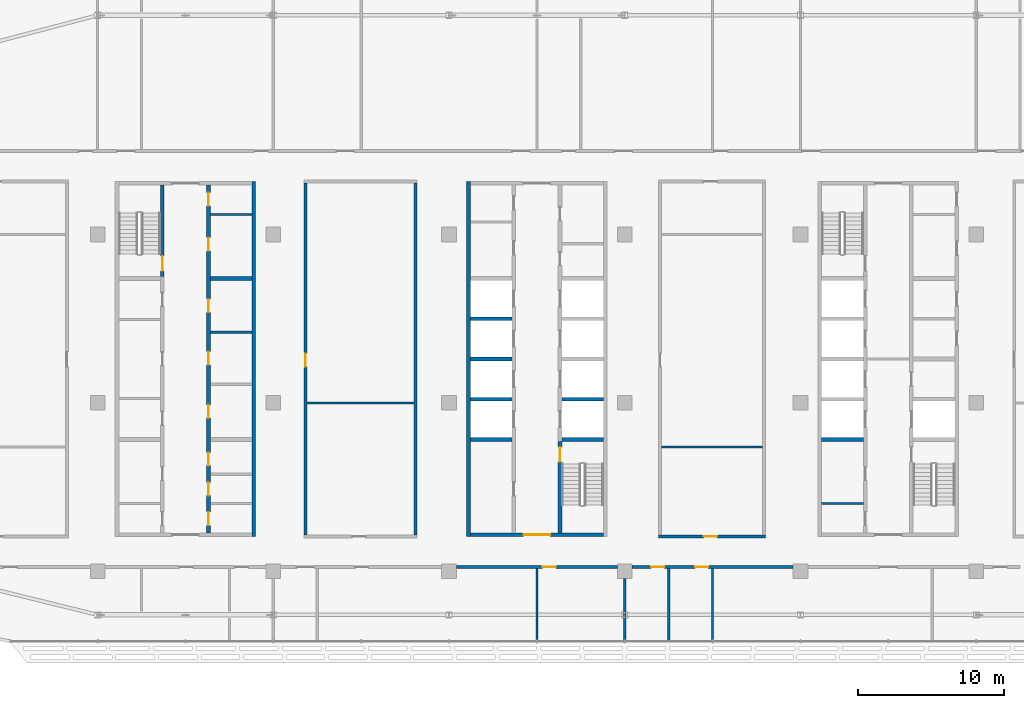
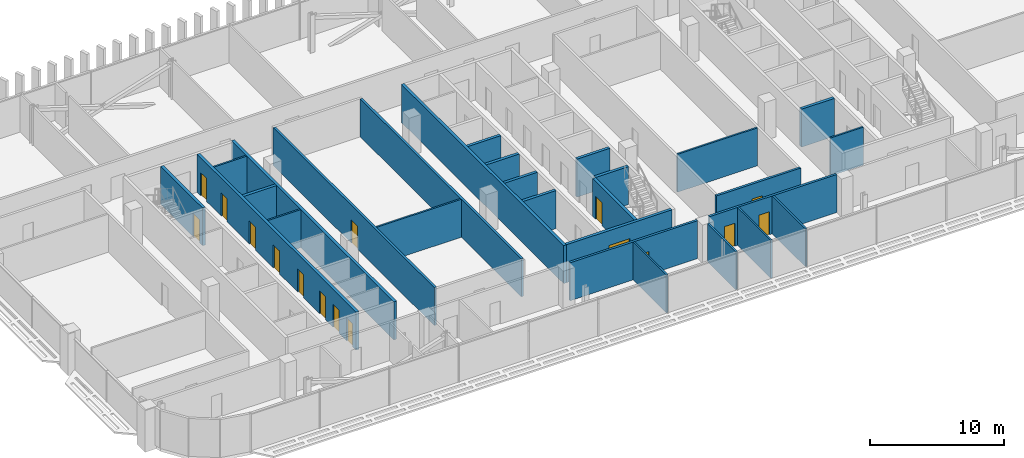
# One storey, part 18 of 32: 28 walls, 16 doors, 16 openings.
"""IFC4 building model written with IfcOpenShell, lengths in metres."""

import ifcopenshell
import ifcopenshell.guid

model = None  # the IFC model being written
_history = None  # IfcOwnerHistory: only IFC2X3 demands one
_inside = {}  # id of a spatial element -> (the spatial element, [elements in it])
_under = {}  # id of a project, library or spatial element -> (it, [spatial elements below it])
_declared = {}  # id of a project -> (the project, [libraries it declares])
_typed = {}  # id of a type object -> (the type object, [elements of that type])
_made_of = {}  # id of a material, layer set ... -> (it, [elements and type objects made of it])


def new_model(schema):
    """Start an empty IFC model of exactly this schema.

    Asked for "IFC4X3", IfcOpenShell would pick the latest addendum, in which some entities
    have other attributes; the version numbers below select the first issue.
    IFC2X3 requires an IfcOwnerHistory on every rooted entity: one is made here for all.
    """
    global model, _history
    if schema == "IFC4X3":
        model = ifcopenshell.file(schema_version=(4, 3, 0, 0))
    else:
        model = ifcopenshell.file(schema=schema)
    _inside.clear()
    _under.clear()
    _declared.clear()
    _typed.clear()
    _made_of.clear()
    _history = None
    if model.schema == "IFC2X3":
        org = make("IfcOrganization", Name="unknown")
        user = make(
            "IfcPersonAndOrganization",
            ThePerson=make("IfcPerson", FamilyName="unknown"),
            TheOrganization=org,
        )
        app = make(
            "IfcApplication",
            ApplicationDeveloper=org,
            Version="unknown",
            ApplicationFullName="unknown",
            ApplicationIdentifier="unknown",
        )
        _history = make(
            "IfcOwnerHistory",
            OwningUser=user,
            OwningApplication=app,
            ChangeAction="ADDED",
            CreationDate=0,
        )
    return model


def make(cls, **values):
    """One entity of the class cls with the attributes given. An attribute that is None is left unset."""
    return model.create_entity(
        cls, **{name: value for name, value in values.items() if value is not None}
    )


def rooted(cls, **values):
    """An entity with a GlobalId (a new one), such as an element, a storey or a relation."""
    return make(cls, GlobalId=ifcopenshell.guid.new(), OwnerHistory=_history, **values)


def si_unit(unit_type, name, prefix=None):
    """IfcSIUnit, for example si_unit("LENGTHUNIT", "METRE", prefix="MILLI")."""
    return make("IfcSIUnit", UnitType=unit_type, Prefix=prefix, Name=name)


def assignment(units):
    """IfcUnitAssignment: the units of a project."""
    return None if units is None else make("IfcUnitAssignment", Units=units)


def point(xyz):
    """IfcCartesianPoint."""
    return None if xyz is None else make("IfcCartesianPoint", Coordinates=xyz)


def direction(xyz):
    """IfcDirection."""
    return None if xyz is None else make("IfcDirection", DirectionRatios=xyz)


def frame(location, z_axis=None, x_axis=None):
    """IfcAxis2Placement3D, a coordinate frame: its origin and axes. An axis left out is left unset."""
    return make(
        "IfcAxis2Placement3D",
        Location=point(location),
        Axis=direction(z_axis),
        RefDirection=direction(x_axis),
    )


def frame_2d(location, x_axis=None):
    """IfcAxis2Placement2D, a coordinate frame in the plane: its origin and x axis."""
    return make(
        "IfcAxis2Placement2D", Location=point(location), RefDirection=direction(x_axis)
    )


def origin():
    """The frame at (0, 0, 0) with its axes left unset."""
    return frame((0.0, 0.0, 0.0))


def place(relative_to, where):
    """IfcLocalPlacement: puts the frame where relative to a parent placement (None: the world)."""
    return make(
        "IfcLocalPlacement", PlacementRelTo=relative_to, RelativePlacement=where
    )


def context(
    kind, dimensions, precision=None, world=None, true_north=None, identifier=None
):
    """IfcGeometricRepresentationContext, for example the 3D "Model" context."""
    return make(
        "IfcGeometricRepresentationContext",
        ContextIdentifier=identifier,
        ContextType=kind,
        CoordinateSpaceDimension=dimensions,
        Precision=precision,
        WorldCoordinateSystem=world,
        TrueNorth=true_north,
    )


def subcontext(parent, identifier, kind, view, scale=None):
    """IfcGeometricRepresentationSubContext, for example "Body" below "Model"."""
    return make(
        "IfcGeometricRepresentationSubContext",
        ContextIdentifier=identifier,
        ContextType=kind,
        ParentContext=parent,
        TargetScale=scale,
        TargetView=view,
    )


def project(units=None, contexts=None):
    """IfcProject with its units and contexts."""
    return rooted(
        "IfcProject",
        Name="project",
        RepresentationContexts=contexts,
        UnitsInContext=assignment(units),
    )


def spatial(cls, under=None, at=None, **own):
    """A site, building, storey or space (cls), placed at a placement, below another one or the project."""
    s = rooted(cls, ObjectPlacement=at, **own)
    if under is not None:
        _under.setdefault(under.id(), (under, []))[1].append(s)
    return s


def profile(cls, at=None, kind="AREA", **sizes):
    """A parametric profile (cls). Its sizes go by their IFC names, for example OverallWidth=200.0."""
    return make(cls, ProfileType=kind, Position=at, **sizes)


def rectangle(**sizes):
    """IfcRectangleProfileDef."""
    return profile("IfcRectangleProfileDef", **sizes)


def extrude(swept, where, along, depth):
    """IfcExtrudedAreaSolid: the profile swept, set in the frame where, extruded along a direction by depth."""
    return make(
        "IfcExtrudedAreaSolid",
        SweptArea=swept,
        Position=where,
        ExtrudedDirection=direction(along),
        Depth=depth,
    )


def shape(context_of_items, identifier, shape_type, items):
    """IfcShapeRepresentation: the items that make up one representation, for example the "Body"."""
    return make(
        "IfcShapeRepresentation",
        ContextOfItems=context_of_items,
        RepresentationIdentifier=identifier,
        RepresentationType=shape_type,
        Items=items,
    )


def material(Name=None, Category=None):
    """IfcMaterial."""
    return make("IfcMaterial", Name=Name, Category=Category)


def layer(
    of_material, thickness, ventilated=None, Name=None, Category=None, Priority=None
):
    """IfcMaterialLayer: one layer of a wall or slab, of a material (None: an air gap)."""
    return make(
        "IfcMaterialLayer",
        Material=of_material,
        LayerThickness=thickness,
        IsVentilated=ventilated,
        Name=Name,
        Category=Category,
        Priority=Priority,
    )


def layer_set(layers, Name=None):
    """IfcMaterialLayerSet."""
    return make("IfcMaterialLayerSet", MaterialLayers=layers, LayerSetName=Name)


def made_of(thing, what):
    """Note that an element or type object is made of a material, layer set ...; save() writes the relation."""
    if what is not None:
        _made_of.setdefault(what.id(), (what, []))[1].append(thing)
    return thing


def type_object(cls, material=None, **own):
    """A type object (cls), such as IfcWallType, which elements share."""
    return made_of(rooted(cls, **own), material)


def element(
    cls,
    number,
    at=None,
    inside=None,
    cuts=None,
    type_object=None,
    material=None,
    context=None,
    identifier="Body",
    shape_type=None,
    held_by="IfcProductDefinitionShape",
    body=None,
    shapes=None,
    **own,
):
    """One element of the class cls, such as IfcWall. Its Tag is "e" and its number.

    at: its placement. inside: the storey or other place that contains it. cuts: it is an
    opening in that element (IfcRelVoidsElement). A single representation is given by context,
    identifier, shape_type and body (its items); several are given by shapes. held_by: the class
    of the entity that holds the representations. save() writes the other relations.
    """
    e = rooted(cls, Tag="e%d" % number, ObjectPlacement=at, **own)
    if body is not None:
        shapes = [shape(context, identifier, shape_type, body)]
    if shapes is not None:
        e.Representation = make(held_by, Representations=shapes)
    if inside is not None:
        _inside.setdefault(inside.id(), (inside, []))[1].append(e)
    if cuts is not None:
        rooted(
            "IfcRelVoidsElement", RelatingBuildingElement=cuts, RelatedOpeningElement=e
        )
    if type_object is not None:
        _typed.setdefault(type_object.id(), (type_object, []))[1].append(e)
    return made_of(e, material)


def fill(opening, filler):
    """IfcRelFillsElement: the door or window that sits in an opening."""
    return rooted(
        "IfcRelFillsElement",
        RelatingOpeningElement=opening,
        RelatedBuildingElement=filler,
    )


def aggregate(whole, parts):
    """IfcRelAggregates: a whole, such as a stair, and the parts it consists of."""
    return rooted("IfcRelAggregates", RelatingObject=whole, RelatedObjects=parts)


def save(model, path):
    """Write the relations noted so far, then the file.

    IfcRelAggregates (storeys below a building ...), IfcRelContainedInSpatialStructure (elements
    in a storey), IfcRelDefinesByType, IfcRelAssociatesMaterial and IfcRelDeclares: one each for
    every whole, place, type object, material and project.
    """
    for whole, parts in _under.values():
        aggregate(whole, parts)
    for where, things in _inside.values():
        rooted(
            "IfcRelContainedInSpatialStructure",
            RelatedElements=things,
            RelatingStructure=where,
        )
    for kind, things in _typed.values():
        rooted("IfcRelDefinesByType", RelatedObjects=things, RelatingType=kind)
    for what, things in _made_of.values():
        rooted("IfcRelAssociatesMaterial", RelatedObjects=things, RelatingMaterial=what)
    for by, libraries in _declared.values():
        rooted("IfcRelDeclares", RelatingContext=by, RelatedDefinitions=libraries)
    model.write(path)


model = new_model("IFC4")

# Units and contexts
model_context = context("Model", 3, precision=1e-05, world=origin(), true_north=direction((0.0, 1.0)))
body_context = subcontext(model_context, "Body", "Model", "MODEL_VIEW")
ifc_project = project(units=[si_unit("LENGTHUNIT", "METRE"), si_unit("AREAUNIT", "SQUARE_METRE"), si_unit("VOLUMEUNIT", "CUBIC_METRE"), si_unit("PLANEANGLEUNIT", "RADIAN"), si_unit("MASSUNIT", "GRAM", prefix="KILO")], contexts=[model_context])

# Site, building, storey
site_placement = place(None, origin())
site = spatial("IfcSite", under=ifc_project, at=site_placement, CompositionType="ELEMENT")
building_placement = place(site_placement, origin())
building = spatial("IfcBuilding", under=site, at=building_placement, Name="Mahtab Terrace Research Tower", CompositionType="ELEMENT")
storey_placement = place(building_placement, frame((0.0, 0.0, 236.199951171875)))
storey = spatial("IfcBuildingStorey", under=building, at=storey_placement, Name="L57", CompositionType="ELEMENT", Elevation=236.199951171875)

# Walls
ifc_material_1 = material(Name="Gypsum board partition")
ifc_layer_1 = layer(ifc_material_1, 0.14990234375)
ifc_layer_set_1 = layer_set([ifc_layer_1], Name="Core partition 150")
wall_type_1 = type_object("IfcWallType", Name="Core partition 150", PredefinedType="PARTITIONING", material=ifc_layer_set_1)
for number, where, z_axis, x_axis, name in (
    (1, (-22.300048828125, 4.827392578125, 0.0), (0.0, 0.0, 1.0), (1.0, 0.0, 0.0), "Core wall A pEL183"),
    (2, (-22.300048828125, 12.875, 0.0), (0.0, 0.0, 1.0), (1.0, 0.0, 0.0), "Core wall A pEN988"),
    (3, (19.449951171875, -6.875, 0.0), (0.0, 0.0, 1.0), (1.0, 0.0, 0.0), "Core wall C pWS-988"),
):
    element("IfcWall", number, at=place(storey_placement, frame(where, z_axis=z_axis, x_axis=x_axis)), inside=storey, type_object=wall_type_1, Name=name, PredefinedType="PARTITIONING", context=body_context, shape_type="SweptSolid", body=[
        extrude(rectangle(XDim=2.85009765625, YDim=0.14990234375, at=frame_2d((1.425048828125, 0.0))), origin(), (0.0, 0.0, 1.0), 3.4599609375),
    ])
ifc_material_2 = material(Name="Concrete C70/85", Category="concrete")
ifc_layer_2 = layer(ifc_material_2, 0.25)
ifc_layer_set_2 = layer_set([ifc_layer_2], Name="Core wall 250")
wall_type_2 = type_object("IfcWallType", Name="Core wall 250", PredefinedType="SOLIDWALL", material=ifc_layer_set_2)
wall_1_placement = place(storey_placement, frame((-19.324951171875, -9.125, 0.0), z_axis=(0.0, 0.0, 1.0), x_axis=(0.0, 1.0, 0.0)))
element("IfcWall", 4, at=wall_1_placement, inside=storey, type_object=wall_type_2, Name="Core wall A outerE", PredefinedType="SOLIDWALL", context=body_context, shape_type="SweptSolid", body=[
    extrude(rectangle(XDim=24.25, YDim=0.25, at=frame_2d((12.125, 0.0))), origin(), (0.0, 0.0, 1.0), 3.4599609375),
])

# Wall, opening, door
wall_2_placement = place(storey_placement, frame((-25.574951171875, 14.875, 0.0), z_axis=(0.0, 0.0, 1.0), x_axis=(0.0, -1.0, 0.0)))
wall_2 = element("IfcWall", 5, at=wall_2_placement, inside=storey, type_object=wall_type_2, Name="Core wall A innerWN", PredefinedType="SOLIDWALL", context=body_context, shape_type="SweptSolid", body=[
    extrude(rectangle(XDim=6.25, YDim=0.25, at=frame_2d((3.125, 0.0))), origin(), (0.0, 0.0, 1.0), 3.4599609375),
])
opening_1_placement = place(wall_2_placement, frame((4.85009765625, 0.0, 0.0)))
opening_1 = element("IfcOpeningElement", 6, at=opening_1_placement, cuts=wall_2, Name="Opening A-ST1", PredefinedType="OPENING", context=body_context, shape_type="SweptSolid", body=[
    extrude(rectangle(XDim=1.0, YDim=2.10009765625, at=frame_2d((0.5, 1.050048828125))), frame((0.0, 0.135009765625, 0.0), z_axis=(0.0, -1.0, 0.0), x_axis=(1.0, 0.0, 0.0)), (0.0, 0.0, 1.0), 0.27001953125),
])
ifc_material_3 = material(Name="Steel fire door", Category="steel")
door_type_1 = type_object("IfcDoorType", Name="Stair door 1000x2100 1.5 HR", OperationType="NOTDEFINED", PredefinedType="DOOR", material=ifc_material_3)
door_1_placement = place(opening_1_placement, origin())
door_1 = element("IfcDoor", 7, at=door_1_placement, inside=storey, type_object=door_type_1, Name="Stair door ST1 L57", OperationType="SINGLE_SWING_RIGHT", OverallHeight=2.10009765625, OverallWidth=1.0, PredefinedType="DOOR", context=body_context, shape_type="SweptSolid", body=[
    extrude(rectangle(XDim=1.0, YDim=2.10009765625, at=frame_2d((0.5, 1.050048828125))), frame((0.0, 0.02490234375, 0.0), z_axis=(0.0, -1.0, 0.0), x_axis=(1.0, 0.0, 0.0)), (0.0, 0.0, 1.0), 0.050048828125),
])
fill(opening_1, door_1)

# Wall, openings, doors
wall_3_placement = place(storey_placement, frame((-22.425048828125, 14.875, 0.0), z_axis=(0.0, 0.0, 1.0), x_axis=(0.0, -1.0, 0.0)))
wall_3 = element("IfcWall", 8, at=wall_3_placement, inside=storey, type_object=wall_type_2, Name="Core wall A innerESLN", PredefinedType="SOLIDWALL", context=body_context, shape_type="SweptSolid", body=[
    extrude(rectangle(XDim=23.75, YDim=0.25, at=frame_2d((11.875, 0.0))), origin(), (0.0, 0.0, 1.0), 3.4599609375),
])
opening_2_placement = place(wall_3_placement, frame((15.010009765625, 0.0, 0.0)))
opening_2 = element("IfcOpeningElement", 9, at=opening_2_placement, cuts=wall_3, Name="Opening A-R4", PredefinedType="OPENING", context=body_context, shape_type="SweptSolid", body=[
    extrude(rectangle(XDim=0.89990234375, YDim=2.10009765625, at=frame_2d((0.449951171875, 1.050048828125))), frame((0.0, 0.135009765625, 0.0), z_axis=(0.0, -1.0, 0.0), x_axis=(1.0, 0.0, 0.0)), (0.0, 0.0, 1.0), 0.27001953125),
])
opening_3_placement = place(wall_3_placement, frame((11.37109375, 0.0, 0.0)))
opening_3 = element("IfcOpeningElement", 10, at=opening_3_placement, cuts=wall_3, Name="Opening A-R5", PredefinedType="OPENING", context=body_context, shape_type="SweptSolid", body=[
    extrude(rectangle(XDim=0.89990234375, YDim=2.10009765625, at=frame_2d((0.449951171875, 1.050048828125))), frame((0.0, 0.135009765625, 0.0), z_axis=(0.0, -1.0, 0.0), x_axis=(1.0, 0.0, 0.0)), (0.0, 0.0, 1.0), 0.27001953125),
])
opening_4_placement = place(wall_3_placement, frame((7.7861328125, 0.0, 0.0)))
opening_4 = element("IfcOpeningElement", 11, at=opening_4_placement, cuts=wall_3, Name="Opening A-R6", PredefinedType="OPENING", context=body_context, shape_type="SweptSolid", body=[
    extrude(rectangle(XDim=0.89990234375, YDim=2.10009765625, at=frame_2d((0.449951171875, 1.050048828125))), frame((0.0, 0.135009765625, 0.0), z_axis=(0.0, -1.0, 0.0), x_axis=(1.0, 0.0, 0.0)), (0.0, 0.0, 1.0), 0.27001953125),
])
opening_5_placement = place(wall_3_placement, frame((22.33740234375, 0.0, 0.0)))
opening_5 = element("IfcOpeningElement", 12, at=opening_5_placement, cuts=wall_3, Name="Opening A-R9", PredefinedType="OPENING", context=body_context, shape_type="SweptSolid", body=[
    extrude(rectangle(XDim=0.89990234375, YDim=2.10009765625, at=frame_2d((0.449951171875, 1.050048828125))), frame((0.0, 0.135009765625, 0.0), z_axis=(0.0, -1.0, 0.0), x_axis=(1.0, 0.0, 0.0)), (0.0, 0.0, 1.0), 0.27001953125),
])
opening_6_placement = place(wall_3_placement, frame((20.300048828125, 0.0, 0.0)))
opening_6 = element("IfcOpeningElement", 13, at=opening_6_placement, cuts=wall_3, Name="Opening A-R10", PredefinedType="OPENING", context=body_context, shape_type="SweptSolid", body=[
    extrude(rectangle(XDim=0.89990234375, YDim=2.10009765625, at=frame_2d((0.449951171875, 1.050048828125))), frame((0.0, 0.135009765625, 0.0), z_axis=(0.0, -1.0, 0.0), x_axis=(1.0, 0.0, 0.0)), (0.0, 0.0, 1.0), 0.27001953125),
])
opening_7_placement = place(wall_3_placement, frame((18.262451171875, 0.0, 0.0)))
opening_7 = element("IfcOpeningElement", 14, at=opening_7_placement, cuts=wall_3, Name="Opening A-R11", PredefinedType="OPENING", context=body_context, shape_type="SweptSolid", body=[
    extrude(rectangle(XDim=0.89990234375, YDim=2.10009765625, at=frame_2d((0.449951171875, 1.050048828125))), frame((0.0, 0.135009765625, 0.0), z_axis=(0.0, -1.0, 0.0), x_axis=(1.0, 0.0, 0.0)), (0.0, 0.0, 1.0), 0.27001953125),
])
opening_8_placement = place(wall_3_placement, frame((3.58740234375, 0.0, 0.0)))
opening_8 = element("IfcOpeningElement", 15, at=opening_8_placement, cuts=wall_3, Name="Opening A-R12", PredefinedType="OPENING", context=body_context, shape_type="SweptSolid", body=[
    extrude(rectangle(XDim=0.89990234375, YDim=2.10009765625, at=frame_2d((0.449951171875, 1.050048828125))), frame((0.0, 0.135009765625, 0.0), z_axis=(0.0, -1.0, 0.0), x_axis=(1.0, 0.0, 0.0)), (0.0, 0.0, 1.0), 0.27001953125),
])
opening_9_placement = place(wall_3_placement, frame((0.512451171875, 0.0, 0.0)))
opening_9 = element("IfcOpeningElement", 16, at=opening_9_placement, cuts=wall_3, Name="Opening A-R13", PredefinedType="OPENING", context=body_context, shape_type="SweptSolid", body=[
    extrude(rectangle(XDim=0.89990234375, YDim=2.10009765625, at=frame_2d((0.449951171875, 1.050048828125))), frame((0.0, 0.135009765625, 0.0), z_axis=(0.0, -1.0, 0.0), x_axis=(1.0, 0.0, 0.0)), (0.0, 0.0, 1.0), 0.27001953125),
])
door_type_2 = type_object("IfcDoorType", Name="Room door 900x2100 1 HR", OperationType="NOTDEFINED", PredefinedType="DOOR", material=ifc_material_3)
door_2_placement = place(opening_2_placement, origin())
door_2 = element("IfcDoor", 17, at=door_2_placement, inside=storey, type_object=door_type_2, Name="Battery room door", OperationType="SINGLE_SWING_RIGHT", OverallHeight=2.10009765625, OverallWidth=0.89990234375, PredefinedType="DOOR", context=body_context, shape_type="SweptSolid", body=[
    extrude(rectangle(XDim=0.89990234375, YDim=2.10009765625, at=frame_2d((0.449951171875, 1.050048828125))), frame((0.0, 0.02490234375, 0.0), z_axis=(0.0, -1.0, 0.0), x_axis=(1.0, 0.0, 0.0)), (0.0, 0.0, 1.0), 0.050048828125),
])
fill(opening_2, door_2)
door_3_placement = place(opening_3_placement, origin())
door_3 = element("IfcDoor", 18, at=door_3_placement, inside=storey, type_object=door_type_2, Name="Cooling plant room door", OperationType="SINGLE_SWING_LEFT", OverallHeight=2.10009765625, OverallWidth=0.89990234375, PredefinedType="DOOR", context=body_context, shape_type="SweptSolid", body=[
    extrude(rectangle(XDim=0.89990234375, YDim=2.10009765625, at=frame_2d((0.449951171875, 1.050048828125))), frame((0.0, 0.02490234375, 0.0), z_axis=(0.0, -1.0, 0.0), x_axis=(1.0, 0.0, 0.0)), (0.0, 0.0, 1.0), 0.050048828125),
])
fill(opening_3, door_3)
door_4_placement = place(opening_4_placement, origin())
door_4 = element("IfcDoor", 19, at=door_4_placement, inside=storey, type_object=door_type_2, Name="Spare parts store door", OperationType="SINGLE_SWING_RIGHT", OverallHeight=2.10009765625, OverallWidth=0.89990234375, PredefinedType="DOOR", context=body_context, shape_type="SweptSolid", body=[
    extrude(rectangle(XDim=0.89990234375, YDim=2.10009765625, at=frame_2d((0.449951171875, 1.050048828125))), frame((0.0, 0.02490234375, 0.0), z_axis=(0.0, -1.0, 0.0), x_axis=(1.0, 0.0, 0.0)), (0.0, 0.0, 1.0), 0.050048828125),
])
fill(opening_4, door_4)
door_5_placement = place(opening_5_placement, origin())
door_5 = element("IfcDoor", 20, at=door_5_placement, inside=storey, type_object=door_type_2, Name="Comms riser room door", OperationType="SINGLE_SWING_LEFT", OverallHeight=2.10009765625, OverallWidth=0.89990234375, PredefinedType="DOOR", context=body_context, shape_type="SweptSolid", body=[
    extrude(rectangle(XDim=0.89990234375, YDim=2.10009765625, at=frame_2d((0.449951171875, 1.050048828125))), frame((0.0, 0.02490234375, 0.0), z_axis=(0.0, -1.0, 0.0), x_axis=(1.0, 0.0, 0.0)), (0.0, 0.0, 1.0), 0.050048828125),
])
fill(opening_5, door_5)
door_6_placement = place(opening_6_placement, origin())
door_6 = element("IfcDoor", 21, at=door_6_placement, inside=storey, type_object=door_type_2, Name="Pantry door", OperationType="SINGLE_SWING_RIGHT", OverallHeight=2.10009765625, OverallWidth=0.89990234375, PredefinedType="DOOR", context=body_context, shape_type="SweptSolid", body=[
    extrude(rectangle(XDim=0.89990234375, YDim=2.10009765625, at=frame_2d((0.449951171875, 1.050048828125))), frame((0.0, 0.02490234375, 0.0), z_axis=(0.0, -1.0, 0.0), x_axis=(1.0, 0.0, 0.0)), (0.0, 0.0, 1.0), 0.050048828125),
])
fill(opening_6, door_6)
door_7_placement = place(opening_7_placement, origin())
door_7 = element("IfcDoor", 22, at=door_7_placement, inside=storey, type_object=door_type_2, Name="Cleaners store door", OperationType="SINGLE_SWING_LEFT", OverallHeight=2.10009765625, OverallWidth=0.89990234375, PredefinedType="DOOR", context=body_context, shape_type="SweptSolid", body=[
    extrude(rectangle(XDim=0.89990234375, YDim=2.10009765625, at=frame_2d((0.449951171875, 1.050048828125))), frame((0.0, 0.02490234375, 0.0), z_axis=(0.0, -1.0, 0.0), x_axis=(1.0, 0.0, 0.0)), (0.0, 0.0, 1.0), 0.050048828125),
])
fill(opening_7, door_7)
door_8_placement = place(opening_8_placement, origin())
door_8 = element("IfcDoor", 23, at=door_8_placement, inside=storey, type_object=door_type_2, Name="IT equipment room door", OperationType="SINGLE_SWING_RIGHT", OverallHeight=2.10009765625, OverallWidth=0.89990234375, PredefinedType="DOOR", context=body_context, shape_type="SweptSolid", body=[
    extrude(rectangle(XDim=0.89990234375, YDim=2.10009765625, at=frame_2d((0.449951171875, 1.050048828125))), frame((0.0, 0.02490234375, 0.0), z_axis=(0.0, -1.0, 0.0), x_axis=(1.0, 0.0, 0.0)), (0.0, 0.0, 1.0), 0.050048828125),
])
fill(opening_8, door_8)
door_9_placement = place(opening_9_placement, origin())
door_9 = element("IfcDoor", 24, at=door_9_placement, inside=storey, type_object=door_type_2, Name="Electrical riser room door", OperationType="SINGLE_SWING_LEFT", OverallHeight=2.10009765625, OverallWidth=0.89990234375, PredefinedType="DOOR", context=body_context, shape_type="SweptSolid", body=[
    extrude(rectangle(XDim=0.89990234375, YDim=2.10009765625, at=frame_2d((0.449951171875, 1.050048828125))), frame((0.0, 0.02490234375, 0.0), z_axis=(0.0, -1.0, 0.0), x_axis=(1.0, 0.0, 0.0)), (0.0, 0.0, 1.0), 0.050048828125),
])
fill(opening_9, door_9)

# Walls
wall_4_placement = place(storey_placement, frame((-22.300048828125, 8.5, 0.0), z_axis=(0.0, 0.0, 1.0), x_axis=(1.0, 0.0, 0.0)))
element("IfcWall", 25, at=wall_4_placement, inside=storey, type_object=wall_type_2, Name="Core wall A divE4", PredefinedType="SOLIDWALL", context=body_context, shape_type="SweptSolid", body=[
    extrude(rectangle(XDim=2.85009765625, YDim=0.25, at=frame_2d((1.425048828125, 0.0))), origin(), (0.0, 0.0, 1.0), 3.4599609375),
])
wall_5_placement = place(storey_placement, frame((-4.675048828125, 15.125, 0.0), z_axis=(0.0, 0.0, 1.0), x_axis=(0.0, -1.0, 0.0)))
element("IfcWall", 26, at=wall_5_placement, inside=storey, type_object=wall_type_2, Name="Core wall B outerW", PredefinedType="SOLIDWALL", context=body_context, shape_type="SweptSolid", body=[
    extrude(rectangle(XDim=24.25, YDim=0.25, at=frame_2d((12.125, 0.0))), origin(), (0.0, 0.0, 1.0), 3.4599609375),
])

# Wall, opening, door
wall_6_placement = place(storey_placement, frame((4.550048828125, -9.0, 0.0), z_axis=(0.0, 0.0, 1.0), x_axis=(-1.0, 0.0, 0.0)))
wall_6 = element("IfcWall", 27, at=wall_6_placement, inside=storey, type_object=wall_type_2, Name="Core wall B endS", PredefinedType="SOLIDWALL", context=body_context, shape_type="SweptSolid", body=[
    extrude(rectangle(XDim=9.10009765625, YDim=0.25, at=frame_2d((4.550048828125, 0.0))), origin(), (0.0, 0.0, 1.0), 3.4599609375),
])
opening_10_placement = place(wall_6_placement, frame((3.64990234375, 0.0, 0.0)))
opening_10 = element("IfcOpeningElement", 28, at=opening_10_placement, cuts=wall_6, Name="Opening B-S1", PredefinedType="OPENING", context=body_context, shape_type="SweptSolid", body=[
    extrude(rectangle(XDim=1.800048828125, YDim=2.10009765625, at=frame_2d((0.89990234375, 1.050048828125))), frame((0.0, 0.135009765625, 0.0), z_axis=(0.0, -1.0, 0.0), x_axis=(1.0, 0.0, 0.0)), (0.0, 0.0, 1.0), 0.27001953125),
])
door_type_3 = type_object("IfcDoorType", Name="Lobby double door 1800x2100 1 HR", OperationType="DOUBLE_DOOR_SINGLE_SWING", PredefinedType="DOOR", material=ifc_material_3)
door_10_placement = place(opening_10_placement, origin())
door_10 = element("IfcDoor", 29, at=door_10_placement, inside=storey, type_object=door_type_3, Name="Core entrance door B S", OperationType="DOUBLE_DOOR_SINGLE_SWING", OverallHeight=2.10009765625, OverallWidth=1.800048828125, PredefinedType="DOOR", context=body_context, shape_type="SweptSolid", body=[
    extrude(rectangle(XDim=1.800048828125, YDim=2.10009765625, at=frame_2d((0.89990234375, 1.050048828125))), frame((0.0, 0.02490234375, 0.0), z_axis=(0.0, -1.0, 0.0), x_axis=(1.0, 0.0, 0.0)), (0.0, 0.0, 1.0), 0.050048828125),
])
fill(opening_10, door_10)

wall_7_placement = place(storey_placement, frame((1.574951171875, -8.875, 0.0), z_axis=(0.0, 0.0, 1.0), x_axis=(0.0, 1.0, 0.0)))
wall_7 = element("IfcWall", 30, at=wall_7_placement, inside=storey, type_object=wall_type_2, Name="Core wall B innerES", PredefinedType="SOLIDWALL", context=body_context, shape_type="SweptSolid", body=[
    extrude(rectangle(XDim=6.25, YDim=0.25, at=frame_2d((3.125, 0.0))), origin(), (0.0, 0.0, 1.0), 3.4599609375),
])
opening_11_placement = place(wall_7_placement, frame((4.85009765625, 0.0, 0.0)))
opening_11 = element("IfcOpeningElement", 31, at=opening_11_placement, cuts=wall_7, Name="Opening B-ST2", PredefinedType="OPENING", context=body_context, shape_type="SweptSolid", body=[
    extrude(rectangle(XDim=1.0, YDim=2.10009765625, at=frame_2d((0.5, 1.050048828125))), frame((0.0, 0.135009765625, 0.0), z_axis=(0.0, -1.0, 0.0), x_axis=(1.0, 0.0, 0.0)), (0.0, 0.0, 1.0), 0.27001953125),
])
door_11_placement = place(opening_11_placement, origin())
door_11 = element("IfcDoor", 32, at=door_11_placement, inside=storey, type_object=door_type_1, Name="Stair door ST2 L57", OperationType="SINGLE_SWING_RIGHT", OverallHeight=2.10009765625, OverallWidth=1.0, PredefinedType="DOOR", context=body_context, shape_type="SweptSolid", body=[
    extrude(rectangle(XDim=1.0, YDim=2.10009765625, at=frame_2d((0.5, 1.050048828125))), frame((0.0, 0.02490234375, 0.0), z_axis=(0.0, -1.0, 0.0), x_axis=(1.0, 0.0, 0.0)), (0.0, 0.0, 1.0), 0.050048828125),
])
fill(opening_11, door_11)

# Walls
for number, where, z_axis, x_axis, name in (
    (33, (-4.550048828125, -2.5, 0.0), (0.0, 0.0, 1.0), (1.0, 0.0, 0.0), "Core wall B divW0"),
    (34, (-4.550048828125, 0.25, 0.0), (0.0, 0.0, 1.0), (1.0, 0.0, 0.0), "Core wall B divW1"),
    (35, (-4.550048828125, 3.0, 0.0), (0.0, 0.0, 1.0), (1.0, 0.0, 0.0), "Core wall B divW2"),
    (36, (-4.550048828125, 5.75, 0.0), (0.0, 0.0, 1.0), (1.0, 0.0, 0.0), "Core wall B divW3"),
    (37, (1.699951171875, -2.5, 0.0), (0.0, 0.0, 1.0), (1.0, 0.0, 0.0), "Core wall B divE0"),
    (38, (1.699951171875, 0.25, 0.0), (0.0, 0.0, 1.0), (1.0, 0.0, 0.0), "Core wall B divE1"),
    (39, (19.449951171875, -2.5, 0.0), (0.0, 0.0, 1.0), (1.0, 0.0, 0.0), "Core wall C divW0"),
):
    element("IfcWall", number, at=place(storey_placement, frame(where, z_axis=z_axis, x_axis=x_axis)), inside=storey, type_object=wall_type_2, Name=name, PredefinedType="SOLIDWALL", context=body_context, shape_type="SweptSolid", body=[
        extrude(rectangle(XDim=2.85009765625, YDim=0.25, at=frame_2d((1.425048828125, 0.0))), origin(), (0.0, 0.0, 1.0), 3.4599609375),
    ])

# Wall, opening, door
ifc_material_4 = material(Name="Gypsum board corridor wall on steel studs", Category="steel")
ifc_layer_3 = layer(ifc_material_4, 0.199951171875)
ifc_layer_set_3 = layer_set([ifc_layer_3], Name="WALL CORRIDOR 200")
wall_type_3 = type_object("IfcWallType", Name="WALL CORRIDOR 200", PredefinedType="PARTITIONING", material=ifc_layer_set_3)
wall_8_placement = place(storey_placement, frame((-5.5, -11.199951171875, 0.0), z_axis=(0.0, 0.0, 1.0), x_axis=(1.0, 0.0, 0.0)))
wall_8 = element("IfcWall", 40, at=wall_8_placement, inside=storey, type_object=wall_type_3, Name="L57-W004", PredefinedType="PARTITIONING", context=body_context, shape_type="SweptSolid", body=[
    extrude(rectangle(XDim=11.0, YDim=0.199951171875, at=frame_2d((5.5, 0.0))), origin(), (0.0, 0.0, 1.0), 3.4599609375),
])
opening_12_placement = place(wall_8_placement, frame((5.89990234375, 0.0, 0.0)))
opening_12 = element("IfcOpeningElement", 41, at=opening_12_placement, cuts=wall_8, Name="Opening L57-106", PredefinedType="OPENING", context=body_context, shape_type="SweptSolid", body=[
    extrude(rectangle(XDim=0.89990234375, YDim=2.10009765625, at=frame_2d((0.449951171875, 1.050048828125))), frame((0.0, 0.10986328125, 0.0), z_axis=(0.0, -1.0, 0.0), x_axis=(1.0, 0.0, 0.0)), (0.0, 0.0, 1.0), 0.219970703125),
])
ifc_material_5 = material(Name="Timber door leaf in steel frame", Category="steel")
door_type_4 = type_object("IfcDoorType", Name="DOOR 0900X2100 FD30S", OperationType="SINGLE_SWING_LEFT", PredefinedType="DOOR", material=ifc_material_5)
door_12_placement = place(opening_12_placement, origin())
door_12 = element("IfcDoor", 42, at=door_12_placement, inside=storey, type_object=door_type_4, Name="Door L57-106", OperationType="SINGLE_SWING_LEFT", OverallHeight=2.10009765625, OverallWidth=0.89990234375, PredefinedType="DOOR", context=body_context, shape_type="SweptSolid", body=[
    extrude(rectangle(XDim=0.89990234375, YDim=2.10009765625, at=frame_2d((0.449951171875, 1.050048828125))), frame((0.0, 0.02490234375, 0.0), z_axis=(0.0, -1.0, 0.0), x_axis=(1.0, 0.0, 0.0)), (0.0, 0.0, 1.0), 0.050048828125),
])
fill(opening_12, door_12)

# Wall, openings, doors
wall_9_placement = place(storey_placement, frame((6.5, -11.199951171875, 0.0), z_axis=(0.0, 0.0, 1.0), x_axis=(1.0, 0.0, 0.0)))
wall_9 = element("IfcWall", 43, at=wall_9_placement, inside=storey, type_object=wall_type_3, Name="L57-W005", PredefinedType="PARTITIONING", context=body_context, shape_type="SweptSolid", body=[
    extrude(rectangle(XDim=11.0, YDim=0.199951171875, at=frame_2d((5.5, 0.0))), origin(), (0.0, 0.0, 1.0), 3.4599609375),
])
opening_13_placement = place(wall_9_placement, frame((1.300048828125, 0.0, 0.0)))
opening_13 = element("IfcOpeningElement", 44, at=opening_13_placement, cuts=wall_9, Name="Opening L57-107", PredefinedType="OPENING", context=body_context, shape_type="SweptSolid", body=[
    extrude(rectangle(XDim=0.89990234375, YDim=2.10009765625, at=frame_2d((0.449951171875, 1.050048828125))), frame((0.0, 0.10986328125, 0.0), z_axis=(0.0, -1.0, 0.0), x_axis=(1.0, 0.0, 0.0)), (0.0, 0.0, 1.0), 0.219970703125),
])
opening_14_placement = place(wall_9_placement, frame((4.300048828125, 0.0, 0.0)))
opening_14 = element("IfcOpeningElement", 45, at=opening_14_placement, cuts=wall_9, Name="Opening L57-108", PredefinedType="OPENING", context=body_context, shape_type="SweptSolid", body=[
    extrude(rectangle(XDim=0.89990234375, YDim=2.10009765625, at=frame_2d((0.449951171875, 1.050048828125))), frame((0.0, 0.10986328125, 0.0), z_axis=(0.0, -1.0, 0.0), x_axis=(1.0, 0.0, 0.0)), (0.0, 0.0, 1.0), 0.219970703125),
])
door_13_placement = place(opening_13_placement, origin())
door_13 = element("IfcDoor", 46, at=door_13_placement, inside=storey, type_object=door_type_4, Name="Door L57-107", OperationType="SINGLE_SWING_RIGHT", OverallHeight=2.10009765625, OverallWidth=0.89990234375, PredefinedType="DOOR", context=body_context, shape_type="SweptSolid", body=[
    extrude(rectangle(XDim=0.89990234375, YDim=2.10009765625, at=frame_2d((0.449951171875, 1.050048828125))), frame((0.0, 0.02490234375, 0.0), z_axis=(0.0, -1.0, 0.0), x_axis=(1.0, 0.0, 0.0)), (0.0, 0.0, 1.0), 0.050048828125),
])
fill(opening_13, door_13)
door_14_placement = place(opening_14_placement, origin())
door_14 = element("IfcDoor", 47, at=door_14_placement, inside=storey, type_object=door_type_4, Name="Door L57-108", OperationType="SINGLE_SWING_RIGHT", OverallHeight=2.10009765625, OverallWidth=0.89990234375, PredefinedType="DOOR", context=body_context, shape_type="SweptSolid", body=[
    extrude(rectangle(XDim=0.89990234375, YDim=2.10009765625, at=frame_2d((0.449951171875, 1.050048828125))), frame((0.0, 0.02490234375, 0.0), z_axis=(0.0, -1.0, 0.0), x_axis=(1.0, 0.0, 0.0)), (0.0, 0.0, 1.0), 0.050048828125),
])
fill(opening_14, door_14)

# Wall, opening, door
wall_10_placement = place(storey_placement, frame((8.300048828125, -9.125, 0.0), z_axis=(0.0, 0.0, 1.0), x_axis=(1.0, 0.0, 0.0)))
wall_10 = element("IfcWall", 48, at=wall_10_placement, inside=storey, type_object=wall_type_3, Name="L57-W012", PredefinedType="PARTITIONING", context=body_context, shape_type="SweptSolid", body=[
    extrude(rectangle(XDim=7.300048828125, YDim=0.199951171875, at=frame_2d((3.64990234375, 0.0))), origin(), (0.0, 0.0, 1.0), 3.4599609375),
])
opening_15_placement = place(wall_10_placement, frame((3.10009765625, 0.0, 0.0)))
opening_15 = element("IfcOpeningElement", 49, at=opening_15_placement, cuts=wall_10, Name="Opening L57-113", PredefinedType="OPENING", context=body_context, shape_type="SweptSolid", body=[
    extrude(rectangle(XDim=0.89990234375, YDim=2.10009765625, at=frame_2d((0.449951171875, 1.050048828125))), frame((0.0, 0.10986328125, 0.0), z_axis=(0.0, -1.0, 0.0), x_axis=(1.0, 0.0, 0.0)), (0.0, 0.0, 1.0), 0.219970703125),
])
door_15_placement = place(opening_15_placement, origin())
door_15 = element("IfcDoor", 50, at=door_15_placement, inside=storey, type_object=door_type_4, Name="Door L57-113", OperationType="SINGLE_SWING_LEFT", OverallHeight=2.10009765625, OverallWidth=0.89990234375, PredefinedType="DOOR", context=body_context, shape_type="SweptSolid", body=[
    extrude(rectangle(XDim=0.89990234375, YDim=2.10009765625, at=frame_2d((0.449951171875, 1.050048828125))), frame((0.0, 0.02490234375, 0.0), z_axis=(0.0, -1.0, 0.0), x_axis=(1.0, 0.0, 0.0)), (0.0, 0.0, 1.0), 0.050048828125),
])
fill(opening_15, door_15)

wall_11_placement = place(storey_placement, frame((-15.800048828125, -9.02490234375, 0.0), z_axis=(0.0, 0.0, 1.0), x_axis=(0.0, 1.0, 0.0)))
wall_11 = element("IfcWall", 51, at=wall_11_placement, inside=storey, type_object=wall_type_3, Name="L57-W035", PredefinedType="PARTITIONING", context=body_context, shape_type="SweptSolid", body=[
    extrude(rectangle(XDim=24.0498046875, YDim=0.199951171875, at=frame_2d((12.02490234375, 0.0))), origin(), (0.0, 0.0, 1.0), 3.4599609375),
])
opening_16_placement = place(wall_11_placement, frame((11.5, 0.0, 0.0)))
opening_16 = element("IfcOpeningElement", 52, at=opening_16_placement, cuts=wall_11, Name="Opening L57-118", PredefinedType="OPENING", context=body_context, shape_type="SweptSolid", body=[
    extrude(rectangle(XDim=0.89990234375, YDim=2.10009765625, at=frame_2d((0.449951171875, 1.050048828125))), frame((0.0, 0.10986328125, 0.0), z_axis=(0.0, -1.0, 0.0), x_axis=(1.0, 0.0, 0.0)), (0.0, 0.0, 1.0), 0.219970703125),
])
door_16_placement = place(opening_16_placement, origin())
door_16 = element("IfcDoor", 53, at=door_16_placement, inside=storey, type_object=door_type_4, Name="Door L57-118", OperationType="SINGLE_SWING_RIGHT", OverallHeight=2.10009765625, OverallWidth=0.89990234375, PredefinedType="DOOR", context=body_context, shape_type="SweptSolid", body=[
    extrude(rectangle(XDim=0.89990234375, YDim=2.10009765625, at=frame_2d((0.449951171875, 1.050048828125))), frame((0.0, 0.02490234375, 0.0), z_axis=(0.0, -1.0, 0.0), x_axis=(1.0, 0.0, 0.0)), (0.0, 0.0, 1.0), 0.050048828125),
])
fill(opening_16, door_16)

# Walls
wall_12_placement = place(storey_placement, frame((-8.300048828125, -9.02490234375, 0.0), z_axis=(0.0, 0.0, 1.0), x_axis=(0.0, 1.0, 0.0)))
element("IfcWall", 54, at=wall_12_placement, inside=storey, type_object=wall_type_3, Name="L57-W038", PredefinedType="PARTITIONING", context=body_context, shape_type="SweptSolid", body=[
    extrude(rectangle(XDim=24.0498046875, YDim=0.199951171875, at=frame_2d((12.02490234375, 0.0))), origin(), (0.0, 0.0, 1.0), 3.4599609375),
])
ifc_material_6 = material(Name="Gypsum board partition on steel studs", Category="steel")
ifc_layer_4 = layer(ifc_material_6, 0.14990234375)
ifc_layer_set_4 = layer_set([ifc_layer_4], Name="WALL PARTITION 150")
wall_type_4 = type_object("IfcWallType", Name="WALL PARTITION 150", PredefinedType="PARTITIONING", material=ifc_layer_set_4)
wall_13_placement = place(storey_placement, frame((8.5, -3.0, 0.0), z_axis=(0.0, 0.0, 1.0), x_axis=(1.0, 0.0, 0.0)))
element("IfcWall", 55, at=wall_13_placement, inside=storey, type_object=wall_type_4, Name="L57-W015", PredefinedType="PARTITIONING", context=body_context, shape_type="SweptSolid", body=[
    extrude(rectangle(XDim=6.89990234375, YDim=0.14990234375, at=frame_2d((3.449951171875, 0.0))), origin(), (0.0, 0.0, 1.0), 3.4599609375),
])
wall_14_placement = place(storey_placement, frame((-15.699951171875, 0.0, 0.0), z_axis=(0.0, 0.0, 1.0), x_axis=(1.0, 0.0, 0.0)))
element("IfcWall", 56, at=wall_14_placement, inside=storey, type_object=wall_type_4, Name="L57-W016", PredefinedType="PARTITIONING", context=body_context, shape_type="SweptSolid", body=[
    extrude(rectangle(XDim=7.300048828125, YDim=0.14990234375, at=frame_2d((3.64990234375, 0.0))), origin(), (0.0, 0.0, 1.0), 3.4599609375),
])
wall_15_placement = place(storey_placement, frame((0.0, -16.2529296875, 0.0), z_axis=(0.0, 0.0, 1.0), x_axis=(0.0, 1.0, 0.0)))
element("IfcWall", 57, at=wall_15_placement, inside=storey, type_object=wall_type_4, Name="L57-W039", PredefinedType="PARTITIONING", context=body_context, shape_type="SweptSolid", body=[
    extrude(rectangle(XDim=4.952880859375, YDim=0.14990234375, at=frame_2d((2.4765625, 0.0))), origin(), (0.0, 0.0, 1.0), 3.4599609375),
])
wall_16_placement = place(storey_placement, frame((6.0, -16.2529296875, 0.0), z_axis=(0.0, 0.0, 1.0), x_axis=(0.0, 1.0, 0.0)))
element("IfcWall", 58, at=wall_16_placement, inside=storey, type_object=wall_type_4, Name="L57-W043", PredefinedType="PARTITIONING", context=body_context, shape_type="SweptSolid", body=[
    extrude(rectangle(XDim=4.2529296875, YDim=0.14990234375, at=frame_2d((2.12646484375, 0.0))), origin(), (0.0, 0.0, 1.0), 3.4599609375),
])
for number, where, z_axis, x_axis, name in (
    (59, (9.0, -16.2529296875, 0.0), (0.0, 0.0, 1.0), (0.0, 1.0, 0.0), "L57-W045"),
    (60, (12.0, -16.2529296875, 0.0), (0.0, 0.0, 1.0), (0.0, 1.0, 0.0), "L57-W046"),
):
    element("IfcWall", number, at=place(storey_placement, frame(where, z_axis=z_axis, x_axis=x_axis)), inside=storey, type_object=wall_type_4, Name=name, PredefinedType="PARTITIONING", context=body_context, shape_type="SweptSolid", body=[
        extrude(rectangle(XDim=4.952880859375, YDim=0.14990234375, at=frame_2d((2.4765625, 0.0))), origin(), (0.0, 0.0, 1.0), 3.4599609375),
    ])

save(model, "model.ifc")
